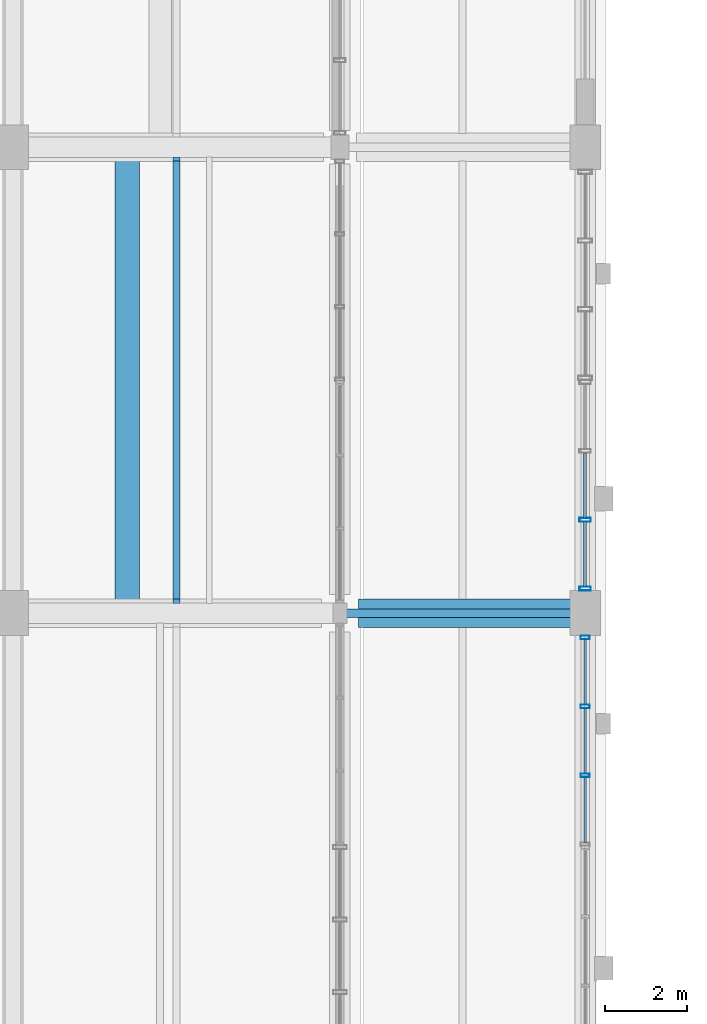
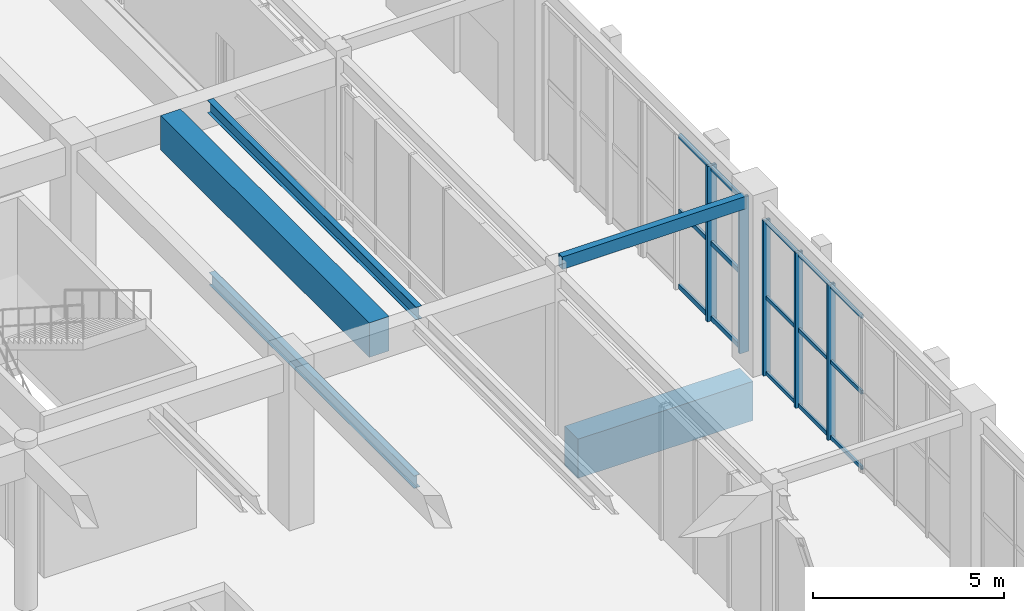
# One storey, part 50 of 113: 20 members, 5 beams, 2 elements without a shape of their own.
"""IFC4 building model written with IfcOpenShell, lengths in metres."""

import ifcopenshell
import ifcopenshell.guid

model = None  # the IFC model being written
_history = None  # IfcOwnerHistory: only IFC2X3 demands one
_inside = {}  # id of a spatial element -> (the spatial element, [elements in it])
_under = {}  # id of a project, library or spatial element -> (it, [spatial elements below it])
_declared = {}  # id of a project -> (the project, [libraries it declares])
_typed = {}  # id of a type object -> (the type object, [elements of that type])
_made_of = {}  # id of a material, layer set ... -> (it, [elements and type objects made of it])


def new_model(schema):
    """Start an empty IFC model of exactly this schema.

    Asked for "IFC4X3", IfcOpenShell would pick the latest addendum, in which some entities
    have other attributes; the version numbers below select the first issue.
    IFC2X3 requires an IfcOwnerHistory on every rooted entity: one is made here for all.
    """
    global model, _history
    if schema == "IFC4X3":
        model = ifcopenshell.file(schema_version=(4, 3, 0, 0))
    else:
        model = ifcopenshell.file(schema=schema)
    _inside.clear()
    _under.clear()
    _declared.clear()
    _typed.clear()
    _made_of.clear()
    _history = None
    if model.schema == "IFC2X3":
        org = make("IfcOrganization", Name="unknown")
        user = make(
            "IfcPersonAndOrganization",
            ThePerson=make("IfcPerson", FamilyName="unknown"),
            TheOrganization=org,
        )
        app = make(
            "IfcApplication",
            ApplicationDeveloper=org,
            Version="unknown",
            ApplicationFullName="unknown",
            ApplicationIdentifier="unknown",
        )
        _history = make(
            "IfcOwnerHistory",
            OwningUser=user,
            OwningApplication=app,
            ChangeAction="ADDED",
            CreationDate=0,
        )
    return model


def make(cls, **values):
    """One entity of the class cls with the attributes given. An attribute that is None is left unset."""
    return model.create_entity(
        cls, **{name: value for name, value in values.items() if value is not None}
    )


def rooted(cls, **values):
    """An entity with a GlobalId (a new one), such as an element, a storey or a relation."""
    return make(cls, GlobalId=ifcopenshell.guid.new(), OwnerHistory=_history, **values)


def si_unit(unit_type, name, prefix=None):
    """IfcSIUnit, for example si_unit("LENGTHUNIT", "METRE", prefix="MILLI")."""
    return make("IfcSIUnit", UnitType=unit_type, Prefix=prefix, Name=name)


def assignment(units):
    """IfcUnitAssignment: the units of a project."""
    return None if units is None else make("IfcUnitAssignment", Units=units)


def point(xyz):
    """IfcCartesianPoint."""
    return None if xyz is None else make("IfcCartesianPoint", Coordinates=xyz)


def direction(xyz):
    """IfcDirection."""
    return None if xyz is None else make("IfcDirection", DirectionRatios=xyz)


def frame(location, z_axis=None, x_axis=None):
    """IfcAxis2Placement3D, a coordinate frame: its origin and axes. An axis left out is left unset."""
    return make(
        "IfcAxis2Placement3D",
        Location=point(location),
        Axis=direction(z_axis),
        RefDirection=direction(x_axis),
    )


def frame_2d(location, x_axis=None):
    """IfcAxis2Placement2D, a coordinate frame in the plane: its origin and x axis."""
    return make(
        "IfcAxis2Placement2D", Location=point(location), RefDirection=direction(x_axis)
    )


def origin():
    """The frame at (0, 0, 0) with its axes left unset."""
    return frame((0.0, 0.0, 0.0))


def origin_2d():
    """The frame at (0, 0) in the plane with its x axis left unset."""
    return frame_2d((0.0, 0.0))


def place(relative_to, where):
    """IfcLocalPlacement: puts the frame where relative to a parent placement (None: the world)."""
    return make(
        "IfcLocalPlacement", PlacementRelTo=relative_to, RelativePlacement=where
    )


def context(
    kind, dimensions, precision=None, world=None, true_north=None, identifier=None
):
    """IfcGeometricRepresentationContext, for example the 3D "Model" context."""
    return make(
        "IfcGeometricRepresentationContext",
        ContextIdentifier=identifier,
        ContextType=kind,
        CoordinateSpaceDimension=dimensions,
        Precision=precision,
        WorldCoordinateSystem=world,
        TrueNorth=true_north,
    )


def subcontext(parent, identifier, kind, view, scale=None):
    """IfcGeometricRepresentationSubContext, for example "Body" below "Model"."""
    return make(
        "IfcGeometricRepresentationSubContext",
        ContextIdentifier=identifier,
        ContextType=kind,
        ParentContext=parent,
        TargetScale=scale,
        TargetView=view,
    )


def project(units=None, contexts=None):
    """IfcProject with its units and contexts."""
    return rooted(
        "IfcProject",
        Name="project",
        RepresentationContexts=contexts,
        UnitsInContext=assignment(units),
    )


def spatial(cls, under=None, at=None, **own):
    """A site, building, storey or space (cls), placed at a placement, below another one or the project."""
    s = rooted(cls, ObjectPlacement=at, **own)
    if under is not None:
        _under.setdefault(under.id(), (under, []))[1].append(s)
    return s


def profile(cls, at=None, kind="AREA", **sizes):
    """A parametric profile (cls). Its sizes go by their IFC names, for example OverallWidth=200.0."""
    return make(cls, ProfileType=kind, Position=at, **sizes)


def rectangle(**sizes):
    """IfcRectangleProfileDef."""
    return profile("IfcRectangleProfileDef", **sizes)


def hollow_rectangle(**sizes):
    """IfcRectangleHollowProfileDef."""
    return profile("IfcRectangleHollowProfileDef", **sizes)


def i_section(**sizes):
    """IfcIShapeProfileDef."""
    return profile("IfcIShapeProfileDef", **sizes)


def extrude(swept, where, along, depth):
    """IfcExtrudedAreaSolid: the profile swept, set in the frame where, extruded along a direction by depth."""
    return make(
        "IfcExtrudedAreaSolid",
        SweptArea=swept,
        Position=where,
        ExtrudedDirection=direction(along),
        Depth=depth,
    )


def shape(context_of_items, identifier, shape_type, items):
    """IfcShapeRepresentation: the items that make up one representation, for example the "Body"."""
    return make(
        "IfcShapeRepresentation",
        ContextOfItems=context_of_items,
        RepresentationIdentifier=identifier,
        RepresentationType=shape_type,
        Items=items,
    )


def material(Name=None, Category=None):
    """IfcMaterial."""
    return make("IfcMaterial", Name=Name, Category=Category)


def layer(
    of_material, thickness, ventilated=None, Name=None, Category=None, Priority=None
):
    """IfcMaterialLayer: one layer of a wall or slab, of a material (None: an air gap)."""
    return make(
        "IfcMaterialLayer",
        Material=of_material,
        LayerThickness=thickness,
        IsVentilated=ventilated,
        Name=Name,
        Category=Category,
        Priority=Priority,
    )


def layer_set(layers, Name=None):
    """IfcMaterialLayerSet."""
    return make("IfcMaterialLayerSet", MaterialLayers=layers, LayerSetName=Name)


def material_profile(
    of_material, cross_section, Name=None, Category=None, Priority=None
):
    """IfcMaterialProfile: a cross section and its material."""
    return make(
        "IfcMaterialProfile",
        Name=Name,
        Material=of_material,
        Profile=cross_section,
        Priority=Priority,
        Category=Category,
    )


def profile_set(profiles, Name=None, composite=None):
    """IfcMaterialProfileSet."""
    return make(
        "IfcMaterialProfileSet",
        Name=Name,
        MaterialProfiles=profiles,
        CompositeProfile=composite,
    )


def made_of(thing, what):
    """Note that an element or type object is made of a material, layer set ...; save() writes the relation."""
    if what is not None:
        _made_of.setdefault(what.id(), (what, []))[1].append(thing)
    return thing


def type_object(cls, material=None, **own):
    """A type object (cls), such as IfcWallType, which elements share."""
    return made_of(rooted(cls, **own), material)


def element(
    cls,
    number,
    at=None,
    inside=None,
    cuts=None,
    type_object=None,
    material=None,
    context=None,
    identifier="Body",
    shape_type=None,
    held_by="IfcProductDefinitionShape",
    body=None,
    shapes=None,
    **own,
):
    """One element of the class cls, such as IfcWall. Its Tag is "e" and its number.

    at: its placement. inside: the storey or other place that contains it. cuts: it is an
    opening in that element (IfcRelVoidsElement). A single representation is given by context,
    identifier, shape_type and body (its items); several are given by shapes. held_by: the class
    of the entity that holds the representations. save() writes the other relations.
    """
    e = rooted(cls, Tag="e%d" % number, ObjectPlacement=at, **own)
    if body is not None:
        shapes = [shape(context, identifier, shape_type, body)]
    if shapes is not None:
        e.Representation = make(held_by, Representations=shapes)
    if inside is not None:
        _inside.setdefault(inside.id(), (inside, []))[1].append(e)
    if cuts is not None:
        rooted(
            "IfcRelVoidsElement", RelatingBuildingElement=cuts, RelatedOpeningElement=e
        )
    if type_object is not None:
        _typed.setdefault(type_object.id(), (type_object, []))[1].append(e)
    return made_of(e, material)


def aggregate(whole, parts):
    """IfcRelAggregates: a whole, such as a stair, and the parts it consists of."""
    return rooted("IfcRelAggregates", RelatingObject=whole, RelatedObjects=parts)


def save(model, path):
    """Write the relations noted so far, then the file.

    IfcRelAggregates (storeys below a building ...), IfcRelContainedInSpatialStructure (elements
    in a storey), IfcRelDefinesByType, IfcRelAssociatesMaterial and IfcRelDeclares: one each for
    every whole, place, type object, material and project.
    """
    for whole, parts in _under.values():
        aggregate(whole, parts)
    for where, things in _inside.values():
        rooted(
            "IfcRelContainedInSpatialStructure",
            RelatedElements=things,
            RelatingStructure=where,
        )
    for kind, things in _typed.values():
        rooted("IfcRelDefinesByType", RelatedObjects=things, RelatingType=kind)
    for what, things in _made_of.values():
        rooted("IfcRelAssociatesMaterial", RelatedObjects=things, RelatingMaterial=what)
    for by, libraries in _declared.values():
        rooted("IfcRelDeclares", RelatingContext=by, RelatedDefinitions=libraries)
    model.write(path)


model = new_model("IFC4")

# Units and contexts
model_context = context("Model", 3, precision=1e-05, world=origin(), true_north=direction((0.0, 1.0)))
body_context = subcontext(model_context, "Body", "Model", "MODEL_VIEW")
ifc_project = project(units=[si_unit("LENGTHUNIT", "METRE"), si_unit("AREAUNIT", "SQUARE_METRE"), si_unit("VOLUMEUNIT", "CUBIC_METRE"), si_unit("PLANEANGLEUNIT", "RADIAN"), si_unit("MASSUNIT", "GRAM", prefix="KILO"), si_unit("POWERUNIT", "WATT"), si_unit("THERMODYNAMICTEMPERATUREUNIT", "KELVIN")], contexts=[model_context])

# Site, building, storey
site_placement = place(None, origin())
site = spatial("IfcSite", under=ifc_project, at=site_placement, CompositionType="ELEMENT")
building_placement = place(site_placement, origin())
building = spatial("IfcBuilding", under=site, at=building_placement, Name="Kelmbourne Parkland Aquatics Centre", CompositionType="ELEMENT")
storey_placement = place(building_placement, origin())
storey = spatial("IfcBuildingStorey", under=building, at=storey_placement, Name="L00", CompositionType="ELEMENT", Elevation=0.0)

# Beams
ifc_material_1 = material(Name="Concrete C40/50", Category="concrete")
ifc_material_profile_1 = material_profile(ifc_material_1, rectangle(XDim=0.60009765625, YDim=1.10009765625, at=origin_2d()), Name="RC 600x1100")
ifc_profile_set_1 = profile_set([ifc_material_profile_1], Name="Concrete C40/50")
beam_type_1 = type_object("IfcBeamType", Name="BM-G01", PredefinedType="BEAM", material=ifc_profile_set_1)
beam_1_placement = place(storey_placement, frame((34.800048828125, 69.44189453125, 4.610107421875), z_axis=(0.0, 1.0, 0.0), x_axis=(-1.0, 0.0, 0.0)))
element("IfcBeam", 1, at=beam_1_placement, inside=storey, type_object=beam_type_1, Name="Deck secondary trim beam 17", PredefinedType="BEAM", context=body_context, shape_type="SweptSolid", body=[
    extrude(rectangle(XDim=0.60009765625, YDim=1.10009765625, at=origin_2d()), origin(), (0.0, 0.0, 1.0), 10.916015625),
])
ifc_material_2 = material(Name="Concrete C50/60", Category="concrete")
ifc_material_profile_2 = material_profile(ifc_material_2, rectangle(XDim=0.699951171875, YDim=1.25, at=origin_2d()), Name="RC 700x1250")
ifc_profile_set_2 = profile_set([ifc_material_profile_2], Name="Concrete C50/60")
beam_type_2 = type_object("IfcBeamType", Name="BM-G08", PredefinedType="BEAM", material=ifc_profile_set_2)
beam_2_placement = place(storey_placement, frame((40.455078125, 69.199951171875, -0.905029296875), z_axis=(1.0, 0.0, 0.0), x_axis=(0.0, 1.0, 0.0)))
element("IfcBeam", 2, at=beam_2_placement, inside=storey, type_object=beam_type_2, Name="Primary girder F-G Grid 10 (L00)", PredefinedType="BEAM", context=body_context, shape_type="SweptSolid", body=[
    extrude(rectangle(XDim=0.699951171875, YDim=1.25, at=origin_2d()), origin(), (0.0, 0.0, 1.0), 5.2900390625),
])
ifc_material_3 = material(Name="Structural steel AS/NZS 3679.1 Grade 300", Category="steel")
ifc_material_profile_3 = material_profile(ifc_material_3, i_section(OverallWidth=0.177978515625, OverallDepth=0.406005859375, WebThickness=0.0078125, FlangeThickness=0.0126953125, at=origin_2d()), Name="410UB59.7")
ifc_profile_set_3 = profile_set([ifc_material_profile_3], Name="Structural steel AS/NZS 3679.1 Grade 300")
beam_type_3 = type_object("IfcBeamType", Name="BM-J01", PredefinedType="JOIST", material=ifc_profile_set_3)
beam_3_placement = place(storey_placement, frame((36.0, 69.5419921875, -0.48291015625), z_axis=(0.0, 1.0, 0.0), x_axis=(-1.0, 0.0, 0.0)))
element("IfcBeam", 3, at=beam_3_placement, inside=storey, type_object=beam_type_3, Name="Secondary floor joist E-F/10-11 #1 (L00)", PredefinedType="JOIST", context=body_context, shape_type="SweptSolid", body=[
    extrude(i_section(OverallWidth=0.177978515625, OverallDepth=0.406005859375, WebThickness=0.0078125, FlangeThickness=0.0126953125, at=origin_2d()), origin(), (0.0, 0.0, 1.0), 10.716064453125),
])
beam_4_placement = place(storey_placement, frame((36.0, 69.44189453125, 4.95703125), z_axis=(0.0, 1.0, 0.0), x_axis=(-1.0, 0.0, 0.0)))
element("IfcBeam", 4, at=beam_4_placement, inside=storey, type_object=beam_type_3, Name="Secondary floor joist E-F/10-11 #1 (L01)", PredefinedType="JOIST", context=body_context, shape_type="SweptSolid", body=[
    extrude(i_section(OverallWidth=0.177978515625, OverallDepth=0.406005859375, WebThickness=0.0078125, FlangeThickness=0.0126953125, at=origin_2d()), origin(), (0.0, 0.0, 1.0), 10.916015625),
])
ifc_material_4 = material(Name="Cold-formed hollow steel AS/NZS 1163 C350L0", Category="steel")
ifc_material_profile_4 = material_profile(ifc_material_4, hollow_rectangle(XDim=0.199951171875, YDim=0.39990234375, WallThickness=0.012451171875, at=origin_2d()), Name="RHS 400x200x12.5")
ifc_profile_set_4 = profile_set([ifc_material_profile_4], Name="Cold-formed hollow steel AS/NZS 1163 C350L0")
beam_type_4 = type_object("IfcBeamType", Name="BM-SP03", PredefinedType="SPANDREL", material=ifc_profile_set_4)
beam_5_placement = place(storey_placement, frame((40.1298828125, 69.199951171875, 5.300048828125), z_axis=(1.0, 0.0, 0.0), x_axis=(0.0, 1.0, 0.0)))
element("IfcBeam", 5, at=beam_5_placement, inside=storey, type_object=beam_type_4, Name="Colonnade cross spandrel F-G Grid 10", PredefinedType="SPANDREL", context=body_context, shape_type="SweptSolid", body=[
    extrude(hollow_rectangle(XDim=0.199951171875, YDim=0.39990234375, WallThickness=0.012451171875, at=origin_2d()), origin(), (0.0, 0.0, 1.0), 5.5400390625),
])

# Curtain wall, members
ifc_material_5 = material(Name="Thermally broken anodised aluminium framing", Category="aluminium")
ifc_layer_1 = layer(ifc_material_5, 0.179931640625)
ifc_layer_set_1 = layer_set([ifc_layer_1], Name="Thermally broken anodised aluminium framing")
curtain_wall_type_1 = type_object("IfcCurtainWallType", Name="CW-09", PredefinedType="NOTDEFINED", material=ifc_layer_set_1)
curtain_wall_1_placement = place(storey_placement, origin())
curtain_wall_1 = element("IfcCurtainWall", 6, at=curtain_wall_1_placement, inside=storey, type_object=curtain_wall_type_1, Name="Facade curtain wall CW-L00-177", PredefinedType="NOTDEFINED")
ifc_material_profile_5 = material_profile(ifc_material_5, hollow_rectangle(XDim=0.0849609375, YDim=0.219970703125, WallThickness=0.0048828125, at=origin_2d()), Name="CW-M 85x220")
ifc_profile_set_5 = profile_set([ifc_material_profile_5], Name="Thermally broken anodised aluminium framing")
member_type_1 = type_object("IfcMemberType", Name="MB-MUL-3", PredefinedType="MULLION", material=ifc_profile_set_5)
member_1_placement = place(storey_placement, frame((46.0, 65.230224609375, 0.0), z_axis=(0.0, 0.0, 1.0), x_axis=(0.0, 1.0, 0.0)))
member_1 = element("IfcMember", 7, at=member_1_placement, type_object=member_type_1, Name="CW-L00-177 mullion 1", PredefinedType="MULLION", context=body_context, shape_type="SweptSolid", body=[
    extrude(hollow_rectangle(XDim=0.0849609375, YDim=0.219970703125, WallThickness=0.0048828125, at=origin_2d()), origin(), (0.0, 0.0, 1.0), 4.951904296875),
])
member_2_placement = place(storey_placement, frame((46.0, 66.917724609375, 0.0), z_axis=(0.0, 0.0, 1.0), x_axis=(0.0, 1.0, 0.0)))
member_2 = element("IfcMember", 8, at=member_2_placement, type_object=member_type_1, Name="CW-L00-177 mullion 2", PredefinedType="MULLION", context=body_context, shape_type="SweptSolid", body=[
    extrude(hollow_rectangle(XDim=0.0849609375, YDim=0.219970703125, WallThickness=0.0048828125, at=origin_2d()), origin(), (0.0, 0.0, 1.0), 4.951904296875),
])
member_3_placement = place(storey_placement, frame((46.0, 68.60546875, 0.0), z_axis=(0.0, 0.0, 1.0), x_axis=(0.0, 1.0, 0.0)))
member_3 = element("IfcMember", 9, at=member_3_placement, type_object=member_type_1, Name="CW-L00-177 mullion 3", PredefinedType="MULLION", context=body_context, shape_type="SweptSolid", body=[
    extrude(hollow_rectangle(XDim=0.0849609375, YDim=0.219970703125, WallThickness=0.0048828125, at=origin_2d()), origin(), (0.0, 0.0, 1.0), 4.951904296875),
])

ifc_layer_2 = layer(ifc_material_5, 0.179931640625)
ifc_layer_set_2 = layer_set([ifc_layer_2], Name="Thermally broken anodised aluminium framing")
curtain_wall_type_2 = type_object("IfcCurtainWallType", Name="CW-10", PredefinedType="NOTDEFINED", material=ifc_layer_set_2)
curtain_wall_2_placement = place(storey_placement, origin())
curtain_wall_2 = element("IfcCurtainWall", 10, at=curtain_wall_2_placement, inside=storey, type_object=curtain_wall_type_2, Name="Facade curtain wall CW-L00-178", PredefinedType="NOTDEFINED")
ifc_material_profile_6 = material_profile(ifc_material_5, hollow_rectangle(XDim=0.094970703125, YDim=0.280029296875, WallThickness=0.005615234375, at=origin_2d()), Name="CW-M 95x280")
ifc_profile_set_6 = profile_set([ifc_material_profile_6], Name="Thermally broken anodised aluminium framing")
member_type_2 = type_object("IfcMemberType", Name="MB-MUL-4", PredefinedType="MULLION", material=ifc_profile_set_6)
member_4_placement = place(storey_placement, frame((46.0, 69.799560546875, 0.0), z_axis=(0.0, 0.0, 1.0), x_axis=(0.0, 1.0, 0.0)))
member_4 = element("IfcMember", 11, at=member_4_placement, type_object=member_type_2, Name="CW-L00-178 mullion 0", PredefinedType="MULLION", context=body_context, shape_type="SweptSolid", body=[
    extrude(hollow_rectangle(XDim=0.094970703125, YDim=0.280029296875, WallThickness=0.005615234375, at=origin_2d()), origin(), (0.0, 0.0, 1.0), 4.951904296875),
])
member_5_placement = place(storey_placement, frame((46.0, 71.48388671875, 0.0), z_axis=(0.0, 0.0, 1.0), x_axis=(0.0, 1.0, 0.0)))
member_5 = element("IfcMember", 12, at=member_5_placement, type_object=member_type_2, Name="CW-L00-178 mullion 1", PredefinedType="MULLION", context=body_context, shape_type="SweptSolid", body=[
    extrude(hollow_rectangle(XDim=0.094970703125, YDim=0.280029296875, WallThickness=0.005615234375, at=origin_2d()), origin(), (0.0, 0.0, 1.0), 4.951904296875),
])

# Member
ifc_material_profile_7 = material_profile(ifc_material_5, hollow_rectangle(XDim=0.06494140625, YDim=0.1201171875, WallThickness=0.00341796875, at=origin_2d()), Name="CW-T 65x120")
ifc_profile_set_7 = profile_set([ifc_material_profile_7], Name="Thermally broken anodised aluminium framing")
member_type_3 = type_object("IfcMemberType", Name="MB-TRN-1", PredefinedType="USERDEFINED", material=ifc_profile_set_7)
member_6_placement = place(storey_placement, frame((46.0, 63.5810546875, 0.06298828125), z_axis=(0.0, 1.0, 0.0), x_axis=(-1.0, 0.0, 0.0)))
member_6 = element("IfcMember", 13, at=member_6_placement, type_object=member_type_3, Name="CW-L00-177 transom 0-0", ObjectType="TRANSOM", PredefinedType="USERDEFINED", context=body_context, shape_type="SweptSolid", body=[
    extrude(hollow_rectangle(XDim=0.06494140625, YDim=0.1201171875, WallThickness=0.00341796875, at=origin_2d()), origin(), (0.0, 0.0, 1.0), 1.610595703125),
])

member_7_placement = place(storey_placement, frame((46.0, 65.268798828125, 0.06298828125), z_axis=(0.0, 1.0, 0.0), x_axis=(-1.0, 0.0, 0.0)))
member_7 = element("IfcMember", 14, at=member_7_placement, type_object=member_type_3, Name="CW-L00-177 transom 0-1", ObjectType="TRANSOM", PredefinedType="USERDEFINED", context=body_context, shape_type="SweptSolid", body=[
    extrude(hollow_rectangle(XDim=0.06494140625, YDim=0.1201171875, WallThickness=0.00341796875, at=origin_2d()), origin(), (0.0, 0.0, 1.0), 1.610595703125),
])

member_8_placement = place(storey_placement, frame((46.0, 66.956298828125, 0.06298828125), z_axis=(0.0, 1.0, 0.0), x_axis=(-1.0, 0.0, 0.0)))
member_8 = element("IfcMember", 15, at=member_8_placement, type_object=member_type_3, Name="CW-L00-177 transom 0-2", ObjectType="TRANSOM", PredefinedType="USERDEFINED", context=body_context, shape_type="SweptSolid", body=[
    extrude(hollow_rectangle(XDim=0.06494140625, YDim=0.1201171875, WallThickness=0.00341796875, at=origin_2d()), origin(), (0.0, 0.0, 1.0), 1.610595703125),
])

member_9_placement = place(storey_placement, frame((46.0, 63.5810546875, 2.47607421875), z_axis=(0.0, 1.0, 0.0), x_axis=(-1.0, 0.0, 0.0)))
member_9 = element("IfcMember", 16, at=member_9_placement, type_object=member_type_3, Name="CW-L00-177 transom 1-0", ObjectType="TRANSOM", PredefinedType="USERDEFINED", context=body_context, shape_type="SweptSolid", body=[
    extrude(hollow_rectangle(XDim=0.06494140625, YDim=0.1201171875, WallThickness=0.00341796875, at=origin_2d()), origin(), (0.0, 0.0, 1.0), 1.610595703125),
])

member_10_placement = place(storey_placement, frame((46.0, 65.268798828125, 2.47607421875), z_axis=(0.0, 1.0, 0.0), x_axis=(-1.0, 0.0, 0.0)))
member_10 = element("IfcMember", 17, at=member_10_placement, type_object=member_type_3, Name="CW-L00-177 transom 1-1", ObjectType="TRANSOM", PredefinedType="USERDEFINED", context=body_context, shape_type="SweptSolid", body=[
    extrude(hollow_rectangle(XDim=0.06494140625, YDim=0.1201171875, WallThickness=0.00341796875, at=origin_2d()), origin(), (0.0, 0.0, 1.0), 1.610595703125),
])

member_11_placement = place(storey_placement, frame((46.0, 66.956298828125, 2.47607421875), z_axis=(0.0, 1.0, 0.0), x_axis=(-1.0, 0.0, 0.0)))
member_11 = element("IfcMember", 18, at=member_11_placement, type_object=member_type_3, Name="CW-L00-177 transom 1-2", ObjectType="TRANSOM", PredefinedType="USERDEFINED", context=body_context, shape_type="SweptSolid", body=[
    extrude(hollow_rectangle(XDim=0.06494140625, YDim=0.1201171875, WallThickness=0.00341796875, at=origin_2d()), origin(), (0.0, 0.0, 1.0), 1.610595703125),
])

member_12_placement = place(storey_placement, frame((46.0, 63.5810546875, 4.888916015625), z_axis=(0.0, 1.0, 0.0), x_axis=(-1.0, 0.0, 0.0)))
member_12 = element("IfcMember", 19, at=member_12_placement, type_object=member_type_3, Name="CW-L00-177 transom 2-0", ObjectType="TRANSOM", PredefinedType="USERDEFINED", context=body_context, shape_type="SweptSolid", body=[
    extrude(hollow_rectangle(XDim=0.06494140625, YDim=0.1201171875, WallThickness=0.00341796875, at=origin_2d()), origin(), (0.0, 0.0, 1.0), 1.610595703125),
])

member_13_placement = place(storey_placement, frame((46.0, 65.268798828125, 4.888916015625), z_axis=(0.0, 1.0, 0.0), x_axis=(-1.0, 0.0, 0.0)))
member_13 = element("IfcMember", 20, at=member_13_placement, type_object=member_type_3, Name="CW-L00-177 transom 2-1", ObjectType="TRANSOM", PredefinedType="USERDEFINED", context=body_context, shape_type="SweptSolid", body=[
    extrude(hollow_rectangle(XDim=0.06494140625, YDim=0.1201171875, WallThickness=0.00341796875, at=origin_2d()), origin(), (0.0, 0.0, 1.0), 1.610595703125),
])

member_14_placement = place(storey_placement, frame((46.0, 66.956298828125, 4.888916015625), z_axis=(0.0, 1.0, 0.0), x_axis=(-1.0, 0.0, 0.0)))
member_14 = element("IfcMember", 21, at=member_14_placement, type_object=member_type_3, Name="CW-L00-177 transom 2-2", ObjectType="TRANSOM", PredefinedType="USERDEFINED", context=body_context, shape_type="SweptSolid", body=[
    extrude(hollow_rectangle(XDim=0.06494140625, YDim=0.1201171875, WallThickness=0.00341796875, at=origin_2d()), origin(), (0.0, 0.0, 1.0), 1.610595703125),
])

aggregate(curtain_wall_1, [member_1, member_2, member_3, member_6, member_7, member_8, member_9, member_10, member_11, member_12, member_13, member_14])

ifc_material_profile_8 = material_profile(ifc_material_5, hollow_rectangle(XDim=0.074951171875, YDim=0.14990234375, WallThickness=0.00390625, at=origin_2d()), Name="CW-T 75x150")
ifc_profile_set_8 = profile_set([ifc_material_profile_8], Name="Thermally broken anodised aluminium framing")
member_type_4 = type_object("IfcMemberType", Name="MB-TRN-2", PredefinedType="USERDEFINED", material=ifc_profile_set_8)
member_15_placement = place(storey_placement, frame((46.0, 69.843017578125, 0.077880859375), z_axis=(0.0, 1.0, 0.0), x_axis=(-1.0, 0.0, 0.0)))
member_15 = element("IfcMember", 22, at=member_15_placement, type_object=member_type_4, Name="CW-L00-178 transom 0-0", ObjectType="TRANSOM", PredefinedType="USERDEFINED", context=body_context, shape_type="SweptSolid", body=[
    extrude(hollow_rectangle(XDim=0.074951171875, YDim=0.14990234375, WallThickness=0.00390625, at=origin_2d()), origin(), (0.0, 0.0, 1.0), 1.59716796875),
])

member_16_placement = place(storey_placement, frame((46.0, 71.52734375, 0.077880859375), z_axis=(0.0, 1.0, 0.0), x_axis=(-1.0, 0.0, 0.0)))
member_16 = element("IfcMember", 23, at=member_16_placement, type_object=member_type_4, Name="CW-L00-178 transom 0-1", ObjectType="TRANSOM", PredefinedType="USERDEFINED", context=body_context, shape_type="SweptSolid", body=[
    extrude(hollow_rectangle(XDim=0.074951171875, YDim=0.14990234375, WallThickness=0.00390625, at=origin_2d()), origin(), (0.0, 0.0, 1.0), 1.597412109375),
])

member_17_placement = place(storey_placement, frame((46.0, 69.843017578125, 2.47607421875), z_axis=(0.0, 1.0, 0.0), x_axis=(-1.0, 0.0, 0.0)))
member_17 = element("IfcMember", 24, at=member_17_placement, type_object=member_type_4, Name="CW-L00-178 transom 1-0", ObjectType="TRANSOM", PredefinedType="USERDEFINED", context=body_context, shape_type="SweptSolid", body=[
    extrude(hollow_rectangle(XDim=0.074951171875, YDim=0.14990234375, WallThickness=0.00390625, at=origin_2d()), origin(), (0.0, 0.0, 1.0), 1.59716796875),
])

member_18_placement = place(storey_placement, frame((46.0, 71.52734375, 2.47607421875), z_axis=(0.0, 1.0, 0.0), x_axis=(-1.0, 0.0, 0.0)))
member_18 = element("IfcMember", 25, at=member_18_placement, type_object=member_type_4, Name="CW-L00-178 transom 1-1", ObjectType="TRANSOM", PredefinedType="USERDEFINED", context=body_context, shape_type="SweptSolid", body=[
    extrude(hollow_rectangle(XDim=0.074951171875, YDim=0.14990234375, WallThickness=0.00390625, at=origin_2d()), origin(), (0.0, 0.0, 1.0), 1.597412109375),
])

member_19_placement = place(storey_placement, frame((46.0, 69.843017578125, 4.8740234375), z_axis=(0.0, 1.0, 0.0), x_axis=(-1.0, 0.0, 0.0)))
member_19 = element("IfcMember", 26, at=member_19_placement, type_object=member_type_4, Name="CW-L00-178 transom 2-0", ObjectType="TRANSOM", PredefinedType="USERDEFINED", context=body_context, shape_type="SweptSolid", body=[
    extrude(hollow_rectangle(XDim=0.074951171875, YDim=0.14990234375, WallThickness=0.00390625, at=origin_2d()), origin(), (0.0, 0.0, 1.0), 1.59716796875),
])

member_20_placement = place(storey_placement, frame((46.0, 71.52734375, 4.8740234375), z_axis=(0.0, 1.0, 0.0), x_axis=(-1.0, 0.0, 0.0)))
member_20 = element("IfcMember", 27, at=member_20_placement, type_object=member_type_4, Name="CW-L00-178 transom 2-1", ObjectType="TRANSOM", PredefinedType="USERDEFINED", context=body_context, shape_type="SweptSolid", body=[
    extrude(hollow_rectangle(XDim=0.074951171875, YDim=0.14990234375, WallThickness=0.00390625, at=origin_2d()), origin(), (0.0, 0.0, 1.0), 1.597412109375),
])

aggregate(curtain_wall_2, [member_4, member_5, member_15, member_16, member_17, member_18, member_19, member_20])

save(model, "model.ifc")
